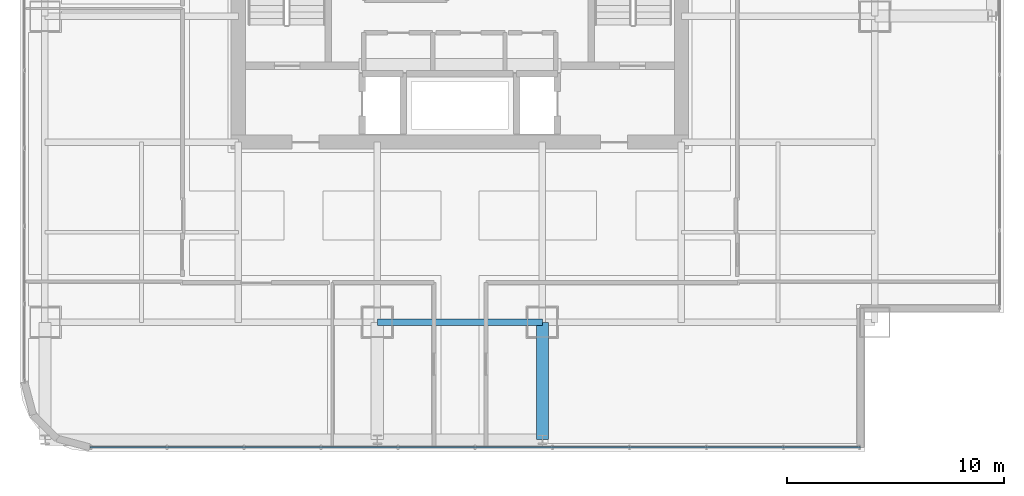
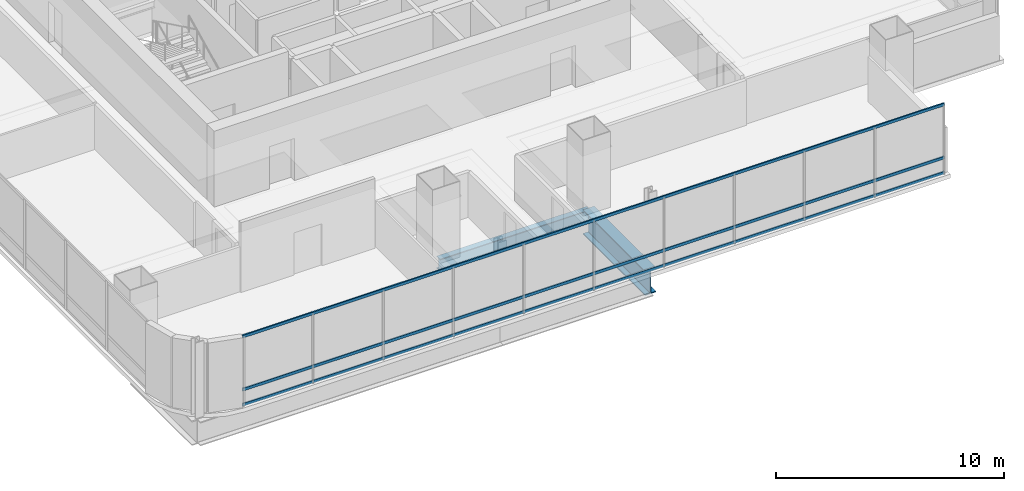
# One storey, part 6 of 35: 3 members, 2 beams, 1 element without a shape of its own.
"""IFC4 building model written with IfcOpenShell, lengths in metres."""

from ifc_helpers import new_model, si_unit, direction, frame, origin, origin_2d, place, context, subcontext, project, spatial, hollow_rectangle, i_section, extrude, material, material_profile, profile_set, type_object, element, aggregate, save


model = new_model("IFC4")

# Units and contexts
model_context = context("Model", 3, precision=1e-05, world=origin(), true_north=direction((0.0, 1.0)))
body_context = subcontext(model_context, "Body", "Model", "MODEL_VIEW")
ifc_project = project(units=[si_unit("LENGTHUNIT", "METRE"), si_unit("AREAUNIT", "SQUARE_METRE"), si_unit("VOLUMEUNIT", "CUBIC_METRE"), si_unit("PLANEANGLEUNIT", "RADIAN"), si_unit("MASSUNIT", "GRAM", prefix="KILO")], contexts=[model_context])

# Site, building, storey
site_placement = place(None, origin())
site = spatial("IfcSite", under=ifc_project, at=site_placement, CompositionType="ELEMENT")
building_placement = place(site_placement, origin())
building = spatial("IfcBuilding", under=site, at=building_placement, Name="Punatoya Terracotta Tower", CompositionType="ELEMENT")
storey_placement = place(building_placement, frame((0.0, 0.0, 232.949951171875)))
storey = spatial("IfcBuildingStorey", under=building, at=storey_placement, Name="L55", CompositionType="ELEMENT", Elevation=232.949951171875)

# Beams
ifc_material_1 = material(Name="Steel S355", Category="steel")
ifc_material_profile_1 = material_profile(ifc_material_1, i_section(OverallWidth=0.300048828125, OverallDepth=0.64990234375, WebThickness=0.01611328125, FlangeThickness=0.031005859375, FilletRadius=0.01806640625, at=origin_2d()))
ifc_profile_set_1 = profile_set([ifc_material_profile_1], Name="Steel S355")
beam_type_1 = type_object("IfcBeamType", Name="BM-PRI-650", PredefinedType="BEAM", material=ifc_profile_set_1)
beam_1_placement = place(storey_placement, frame((-3.800048828125, -17.5, -0.544921875), z_axis=(1.0, 0.0, 0.0), x_axis=(0.0, 1.0, 0.0)))
element("IfcBeam", 1, at=beam_1_placement, inside=storey, type_object=beam_type_1, Name="BM-L55-RG-S2", PredefinedType="BEAM", context=body_context, shape_type="SweptSolid", body=[
    extrude(i_section(OverallWidth=0.300048828125, OverallDepth=0.64990234375, WebThickness=0.01611328125, FlangeThickness=0.031005859375, FilletRadius=0.01806640625, at=origin_2d()), origin(), (0.0, 0.0, 1.0), 7.60009765625),
])
ifc_material_2 = material(Name="Steel S460", Category="steel")
ifc_material_profile_2 = material_profile(ifc_material_2, i_section(OverallWidth=0.56005859375, OverallDepth=1.320068359375, WebThickness=0.035888671875, FlangeThickness=0.054931640625, FilletRadius=0.01806640625, at=origin_2d()))
ifc_profile_set_2 = profile_set([ifc_material_profile_2], Name="Steel S460")
beam_type_2 = type_object("IfcBeamType", Name="BM-TG-BLK", PredefinedType="BEAM", material=ifc_profile_set_2)
beam_2_placement = place(storey_placement, frame((3.800048828125, -22.89990234375, -0.8798828125), z_axis=(0.0, 1.0, 0.0), x_axis=(-1.0, 0.0, 0.0)))
element("IfcBeam", 2, at=beam_2_placement, inside=storey, type_object=beam_type_2, Name="BM-L55-CANT-S3", PredefinedType="BEAM", context=body_context, shape_type="SweptSolid", body=[
    extrude(i_section(OverallWidth=0.56005859375, OverallDepth=1.320068359375, WebThickness=0.035888671875, FlangeThickness=0.054931640625, FilletRadius=0.01806640625, at=origin_2d()), origin(), (0.0, 0.0, 1.0), 5.39990234375),
])

# Curtain wall, members
ifc_material_3 = material(Name="Aluminium 6063-T6 + Double Low-E Glass", Category="aluminium")
curtain_wall_type = type_object("IfcCurtainWallType", Name="CW-M2", PredefinedType="NOTDEFINED", material=ifc_material_3)
curtain_wall_placement = place(storey_placement, origin())
curtain_wall = element("IfcCurtainWall", 3, at=curtain_wall_placement, inside=storey, type_object=curtain_wall_type, Name="L55 Curtain Wall CW-L55-S01-1", PredefinedType="NOTDEFINED")
ifc_material_4 = material(Name="Aluminium 6063-T6", Category="aluminium")
ifc_material_profile_3 = material_profile(ifc_material_4, hollow_rectangle(XDim=0.068115234375, YDim=0.14990234375, WallThickness=0.00390625, at=origin_2d()))
ifc_profile_set_3 = profile_set([ifc_material_profile_3], Name="Aluminium 6063-T6")
member_type = type_object("IfcMemberType", Name="CW-TRN-TYP", PredefinedType="USERDEFINED", material=ifc_profile_set_3)
member_1_placement = place(storey_placement, frame((-17.036865234375, -23.25, 0.0400390625), z_axis=(1.0, 0.0, 0.0), x_axis=(0.0, 1.0, 0.0)))
member_1 = element("IfcMember", 4, at=member_1_placement, type_object=member_type, Name="CW-L55-S01-1 Transom 1", ObjectType="TRANSOM", PredefinedType="USERDEFINED", context=body_context, shape_type="SweptSolid", body=[
    extrude(hollow_rectangle(XDim=0.068115234375, YDim=0.14990234375, WallThickness=0.00390625, at=origin_2d()), origin(), (0.0, 0.0, 1.0), 35.48681640625),
])
member_2_placement = place(storey_placement, frame((-17.036865234375, -23.25, 0.85009765625), z_axis=(1.0, 0.0, 0.0), x_axis=(0.0, 1.0, 0.0)))
member_2 = element("IfcMember", 5, at=member_2_placement, type_object=member_type, Name="CW-L55-S01-1 Transom 2", ObjectType="TRANSOM", PredefinedType="USERDEFINED", context=body_context, shape_type="SweptSolid", body=[
    extrude(hollow_rectangle(XDim=0.068115234375, YDim=0.14990234375, WallThickness=0.00390625, at=origin_2d()), origin(), (0.0, 0.0, 1.0), 35.48681640625),
])
member_3_placement = place(storey_placement, frame((-17.036865234375, -23.25, 3.68994140625), z_axis=(1.0, 0.0, 0.0), x_axis=(0.0, 1.0, 0.0)))
member_3 = element("IfcMember", 6, at=member_3_placement, type_object=member_type, Name="CW-L55-S01-1 Transom 3", ObjectType="TRANSOM", PredefinedType="USERDEFINED", context=body_context, shape_type="SweptSolid", body=[
    extrude(hollow_rectangle(XDim=0.068115234375, YDim=0.14990234375, WallThickness=0.00390625, at=origin_2d()), origin(), (0.0, 0.0, 1.0), 35.48681640625),
])
aggregate(curtain_wall, [member_1, member_2, member_3])

save(model, "model.ifc")
